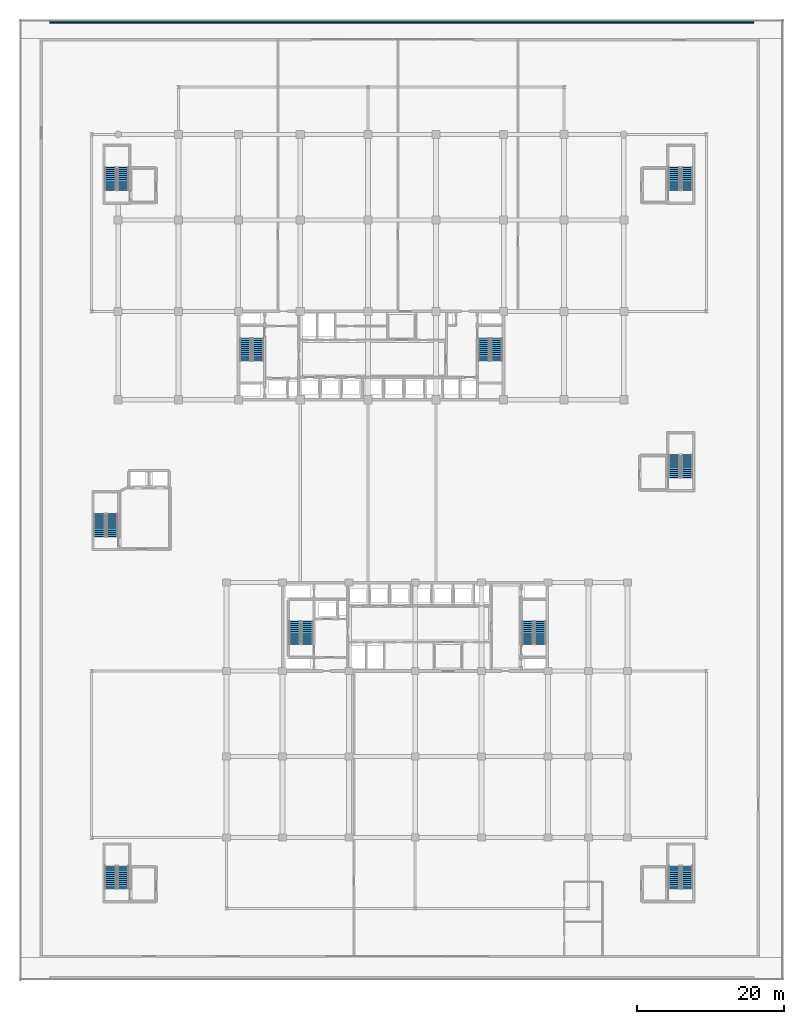
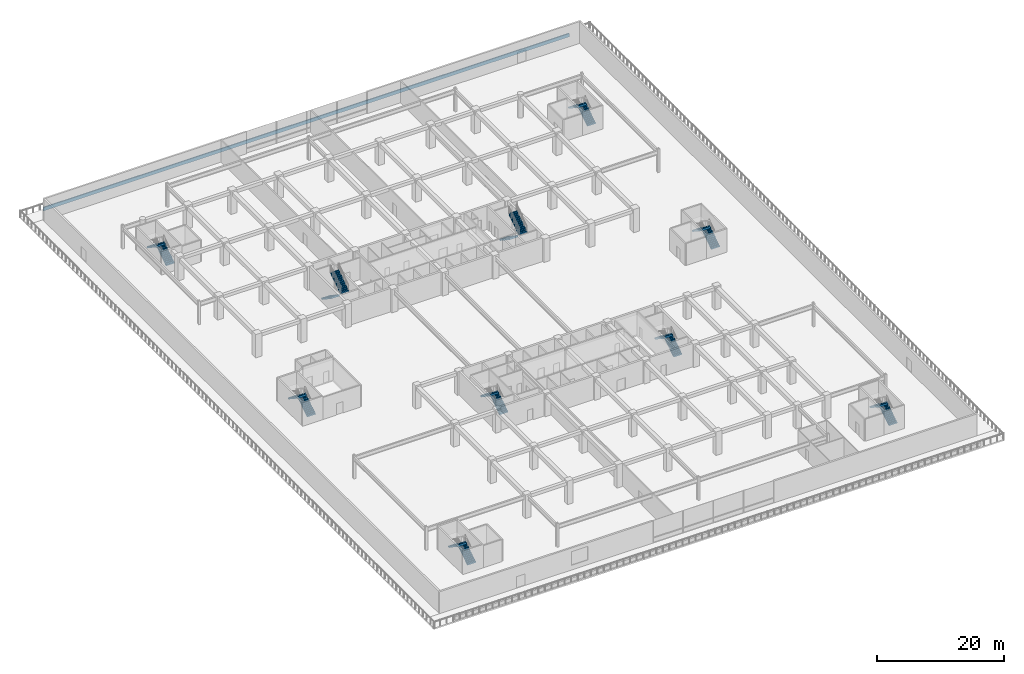
# One storey, part 30 of 43: 20 stair flights, 1 wall, 10 elements without a shape of their own.
"""IFC4 building model written with IfcOpenShell, lengths in metres."""

from ifc_helpers import new_model, si_unit, direction, frame, frame_2d, origin, place, context, subcontext, project, spatial, polyline, rectangle, outline, extrude, material, layer, layer_set, type_object, element, aggregate, save


model = new_model("IFC4")

# Units and contexts
model_context = context("Model", 3, precision=1e-05, world=origin(), true_north=direction((0.0, 1.0)))
body_context = subcontext(model_context, "Body", "Model", "MODEL_VIEW")
ifc_project = project(units=[si_unit("LENGTHUNIT", "METRE"), si_unit("AREAUNIT", "SQUARE_METRE"), si_unit("VOLUMEUNIT", "CUBIC_METRE"), si_unit("PLANEANGLEUNIT", "RADIAN"), si_unit("MASSUNIT", "GRAM", prefix="KILO")], contexts=[model_context])

# Site, building, storey
site_placement = place(None, origin())
site = spatial("IfcSite", under=ifc_project, at=site_placement, CompositionType="ELEMENT")
building_placement = place(site_placement, origin())
building = spatial("IfcBuilding", under=site, at=building_placement, Name="Korimba Cascade Residences", CompositionType="ELEMENT")
storey_placement = place(building_placement, frame((0.0, 0.0, 10.0)))
storey = spatial("IfcBuildingStorey", under=building, at=storey_placement, Name="L02", CompositionType="ELEMENT", Elevation=10.0)

# Wall
ifc_material_1 = material(Name="Precast concrete C40/50", Category="concrete")
ifc_layer = layer(ifc_material_1, 0.199951171875)
ifc_layer_set = layer_set([ifc_layer], Name="Precast concrete C40/50")
wall_type = type_object("IfcWallType", Name="EW-PLANTER-200", PredefinedType="PARAPET", material=ifc_layer_set)
wall_placement = place(storey_placement, frame((146.0, 106.35009765625, 0.0), z_axis=(0.0, 0.0, 1.0), x_axis=(-1.0, 0.0, 0.0)))
element("IfcWall", 1, at=wall_placement, inside=storey, type_object=wall_type, Name="L02 Cascading Terrace Stone PLANTER Box N", PredefinedType="PARAPET", context=body_context, shape_type="SweptSolid", body=[
    extrude(rectangle(XDim=95.5, YDim=0.199951171875, at=frame_2d((47.75, 0.0))), origin(), (0.0, 0.0, 1.0), 0.64990234375),
])

# Stair, stair flights
ifc_material_2 = material(Name="Concrete C50/60", Category="concrete")
stair_type_1 = type_object("IfcStairType", Name="STR-W1-24R-1875", PredefinedType="HALF_TURN_STAIR", material=ifc_material_2)
stair_1_placement = place(storey_placement, origin())
stair_1 = element("IfcStair", 2, at=stair_1_placement, inside=storey, type_object=stair_type_1, Name="L02 Tower 1 West Fire Stair ST-W1", PredefinedType="HALF_TURN_STAIR")
stair_flight_type = type_object("IfcStairFlightType", Name="STF-DL-24R-1875-1520", PredefinedType="STRAIGHT", material=ifc_material_2)
stair_flight_1_placement = place(storey_placement, frame((77.06005859375, 63.550048828125, 0.0), z_axis=(0.0, 0.0, 1.0), x_axis=(0.0, -1.0, 0.0)))
stair_flight_1 = element("IfcStairFlight", 3, at=stair_flight_1_placement, type_object=stair_flight_type, Name="ST-W1 flight 1", NumberOfRisers=12, NumberOfTreads=11, PredefinedType="STRAIGHT", RiserHeight=0.1875, TreadLength=0.28, context=body_context, shape_type="SweptSolid", body=[
    extrude(outline(polyline([(-0.0380859375, 0.0), (0.0, 0.1875), (0.280029296875, 0.1875), (0.280029296875, 0.375), (0.56005859375, 0.375), (0.56005859375, 0.5625), (0.840087890625, 0.5625), (0.840087890625, 0.75), (1.1201171875, 0.75), (1.1201171875, 0.9375), (1.39990234375, 0.9375), (1.39990234375, 1.125), (1.679931640625, 1.125), (1.679931640625, 1.3125), (1.9599609375, 1.3125), (1.9599609375, 1.5), (2.239990234375, 1.5), (2.239990234375, 1.6875), (2.52001953125, 1.6875), (2.52001953125, 1.875), (2.800048828125, 1.875), (2.800048828125, 2.0625), (3.080078125, 2.0625), (3.080078125, 2.25), (3.117919921875, 2.25), (3.117919921875, 1.882080078125), (0.26953125, 0.0), (0.26953125, -0.0380859375), (-0.0380859375, -0.0380859375), (-0.0380859375, 0.0)])), frame((0.0, 0.760009765625, 0.0), z_axis=(0.0, -1.0, 0.0), x_axis=(1.0, 0.0, 0.0)), (0.0, 0.0, 1.0), 1.52001953125),
])
stair_flight_2_placement = place(storey_placement, frame((78.780029296875, 60.469970703125, 2.25), z_axis=(0.0, 0.0, 1.0), x_axis=(0.0, 1.0, 0.0)))
stair_flight_2 = element("IfcStairFlight", 4, at=stair_flight_2_placement, type_object=stair_flight_type, Name="ST-W1 flight 2", NumberOfRisers=12, NumberOfTreads=11, PredefinedType="STRAIGHT", RiserHeight=0.1875, TreadLength=0.28, context=body_context, shape_type="SweptSolid", body=[
    extrude(outline(polyline([(-0.0380859375, 0.0), (0.0, 0.1875), (0.280029296875, 0.1875), (0.280029296875, 0.375), (0.56005859375, 0.375), (0.56005859375, 0.5625), (0.840087890625, 0.5625), (0.840087890625, 0.75), (1.1201171875, 0.75), (1.1201171875, 0.9375), (1.39990234375, 0.9375), (1.39990234375, 1.125), (1.679931640625, 1.125), (1.679931640625, 1.3125), (1.9599609375, 1.3125), (1.9599609375, 1.5), (2.239990234375, 1.5), (2.239990234375, 1.6875), (2.52001953125, 1.6875), (2.52001953125, 1.875), (2.800048828125, 1.875), (2.800048828125, 2.0625), (3.080078125, 2.0625), (3.080078125, 2.25), (3.117919921875, 2.25), (3.117919921875, 1.882080078125), (0.26953125, 0.0), (0.26953125, -0.0380859375), (-0.0380859375, -0.0380859375), (-0.0380859375, 0.0)])), frame((0.0, 0.760009765625, 0.0), z_axis=(0.0, -1.0, 0.0), x_axis=(1.0, 0.0, 0.0)), (0.0, 0.0, 1.0), 1.52001953125),
])
aggregate(stair_1, [stair_flight_1, stair_flight_2])

stair_type_2 = type_object("IfcStairType", Name="STR-W2-24R-1875", PredefinedType="HALF_TURN_STAIR", material=ifc_material_2)
stair_2_placement = place(storey_placement, origin())
stair_2 = element("IfcStair", 5, at=stair_2_placement, inside=storey, type_object=stair_type_2, Name="L02 Tower 1 East Fire Stair ST-W2", PredefinedType="HALF_TURN_STAIR")
stair_flight_3_placement = place(storey_placement, frame((109.419921875, 63.550048828125, 0.0), z_axis=(0.0, 0.0, 1.0), x_axis=(0.0, -1.0, 0.0)))
stair_flight_3 = element("IfcStairFlight", 6, at=stair_flight_3_placement, type_object=stair_flight_type, Name="ST-W2 flight 1", NumberOfRisers=12, NumberOfTreads=11, PredefinedType="STRAIGHT", RiserHeight=0.1875, TreadLength=0.28, context=body_context, shape_type="SweptSolid", body=[
    extrude(outline(polyline([(-0.0380859375, 0.0), (0.0, 0.1875), (0.280029296875, 0.1875), (0.280029296875, 0.375), (0.56005859375, 0.375), (0.56005859375, 0.5625), (0.840087890625, 0.5625), (0.840087890625, 0.75), (1.1201171875, 0.75), (1.1201171875, 0.9375), (1.39990234375, 0.9375), (1.39990234375, 1.125), (1.679931640625, 1.125), (1.679931640625, 1.3125), (1.9599609375, 1.3125), (1.9599609375, 1.5), (2.239990234375, 1.5), (2.239990234375, 1.6875), (2.52001953125, 1.6875), (2.52001953125, 1.875), (2.800048828125, 1.875), (2.800048828125, 2.0625), (3.080078125, 2.0625), (3.080078125, 2.25), (3.117919921875, 2.25), (3.117919921875, 1.882080078125), (0.26953125, 0.0), (0.26953125, -0.0380859375), (-0.0380859375, -0.0380859375), (-0.0380859375, 0.0)])), frame((0.0, 0.760009765625, 0.0), z_axis=(0.0, -1.0, 0.0), x_axis=(1.0, 0.0, 0.0)), (0.0, 0.0, 1.0), 1.52001953125),
])
stair_flight_4_placement = place(storey_placement, frame((111.139892578125, 60.469970703125, 2.25), z_axis=(0.0, 0.0, 1.0), x_axis=(0.0, 1.0, 0.0)))
stair_flight_4 = element("IfcStairFlight", 7, at=stair_flight_4_placement, type_object=stair_flight_type, Name="ST-W2 flight 2", NumberOfRisers=12, NumberOfTreads=11, PredefinedType="STRAIGHT", RiserHeight=0.1875, TreadLength=0.28, context=body_context, shape_type="SweptSolid", body=[
    extrude(outline(polyline([(-0.0380859375, 0.0), (0.0, 0.1875), (0.280029296875, 0.1875), (0.280029296875, 0.375), (0.56005859375, 0.375), (0.56005859375, 0.5625), (0.840087890625, 0.5625), (0.840087890625, 0.75), (1.1201171875, 0.75), (1.1201171875, 0.9375), (1.39990234375, 0.9375), (1.39990234375, 1.125), (1.679931640625, 1.125), (1.679931640625, 1.3125), (1.9599609375, 1.3125), (1.9599609375, 1.5), (2.239990234375, 1.5), (2.239990234375, 1.6875), (2.52001953125, 1.6875), (2.52001953125, 1.875), (2.800048828125, 1.875), (2.800048828125, 2.0625), (3.080078125, 2.0625), (3.080078125, 2.25), (3.117919921875, 2.25), (3.117919921875, 1.882080078125), (0.26953125, 0.0), (0.26953125, -0.0380859375), (-0.0380859375, -0.0380859375), (-0.0380859375, 0.0)])), frame((0.0, 0.760009765625, 0.0), z_axis=(0.0, -1.0, 0.0), x_axis=(1.0, 0.0, 0.0)), (0.0, 0.0, 1.0), 1.52001953125),
])
aggregate(stair_2, [stair_flight_3, stair_flight_4])

stair_type_3 = type_object("IfcStairType", Name="STR-E1-24R-1875", PredefinedType="HALF_TURN_STAIR", material=ifc_material_2)
stair_3_placement = place(storey_placement, origin())
stair_3 = element("IfcStair", 8, at=stair_3_placement, inside=storey, type_object=stair_type_3, Name="L02 Tower 2 West Fire Stair ST-E1", PredefinedType="HALF_TURN_STAIR")
stair_flight_5_placement = place(storey_placement, frame((85.47998046875, 22.050048828125, 0.0), z_axis=(0.0, 0.0, 1.0), x_axis=(0.0, 1.0, 0.0)))
stair_flight_5 = element("IfcStairFlight", 9, at=stair_flight_5_placement, type_object=stair_flight_type, Name="ST-E1 flight 1", NumberOfRisers=12, NumberOfTreads=11, PredefinedType="STRAIGHT", RiserHeight=0.1875, TreadLength=0.28, context=body_context, shape_type="SweptSolid", body=[
    extrude(outline(polyline([(-0.0380859375, 0.0), (0.0, 0.1875), (0.280029296875, 0.1875), (0.280029296875, 0.375), (0.56005859375, 0.375), (0.56005859375, 0.5625), (0.840087890625, 0.5625), (0.840087890625, 0.75), (1.1201171875, 0.75), (1.1201171875, 0.9375), (1.39990234375, 0.9375), (1.39990234375, 1.125), (1.679931640625, 1.125), (1.679931640625, 1.3125), (1.9599609375, 1.3125), (1.9599609375, 1.5), (2.239990234375, 1.5), (2.239990234375, 1.6875), (2.52001953125, 1.6875), (2.52001953125, 1.875), (2.800048828125, 1.875), (2.800048828125, 2.0625), (3.080078125, 2.0625), (3.080078125, 2.25), (3.117919921875, 2.25), (3.117919921875, 1.882080078125), (0.26953125, 0.0), (0.26953125, -0.0380859375), (-0.0380859375, -0.0380859375), (-0.0380859375, 0.0)])), frame((0.0, 0.760009765625, 0.0), z_axis=(0.0, -1.0, 0.0), x_axis=(1.0, 0.0, 0.0)), (0.0, 0.0, 1.0), 1.52001953125),
])
stair_flight_6_placement = place(storey_placement, frame((83.760009765625, 25.1298828125, 2.25), z_axis=(0.0, 0.0, 1.0), x_axis=(0.0, -1.0, 0.0)))
stair_flight_6 = element("IfcStairFlight", 10, at=stair_flight_6_placement, type_object=stair_flight_type, Name="ST-E1 flight 2", NumberOfRisers=12, NumberOfTreads=11, PredefinedType="STRAIGHT", RiserHeight=0.1875, TreadLength=0.28, context=body_context, shape_type="SweptSolid", body=[
    extrude(outline(polyline([(-0.0380859375, 0.0), (0.0, 0.1875), (0.280029296875, 0.1875), (0.280029296875, 0.375), (0.56005859375, 0.375), (0.56005859375, 0.5625), (0.840087890625, 0.5625), (0.840087890625, 0.75), (1.1201171875, 0.75), (1.1201171875, 0.9375), (1.39990234375, 0.9375), (1.39990234375, 1.125), (1.679931640625, 1.125), (1.679931640625, 1.3125), (1.9599609375, 1.3125), (1.9599609375, 1.5), (2.239990234375, 1.5), (2.239990234375, 1.6875), (2.52001953125, 1.6875), (2.52001953125, 1.875), (2.800048828125, 1.875), (2.800048828125, 2.0625), (3.080078125, 2.0625), (3.080078125, 2.25), (3.117919921875, 2.25), (3.117919921875, 1.882080078125), (0.26953125, 0.0), (0.26953125, -0.0380859375), (-0.0380859375, -0.0380859375), (-0.0380859375, 0.0)])), frame((0.0, 0.760009765625, 0.0), z_axis=(0.0, -1.0, 0.0), x_axis=(1.0, 0.0, 0.0)), (0.0, 0.0, 1.0), 1.52001953125),
])
aggregate(stair_3, [stair_flight_5, stair_flight_6])

stair_type_4 = type_object("IfcStairType", Name="STR-E2-24R-1875", PredefinedType="HALF_TURN_STAIR", material=ifc_material_2)
stair_4_placement = place(storey_placement, origin())
stair_4 = element("IfcStair", 11, at=stair_4_placement, inside=storey, type_object=stair_type_4, Name="L02 Tower 2 East Fire Stair ST-E2", PredefinedType="HALF_TURN_STAIR")
stair_flight_7_placement = place(storey_placement, frame((117.080078125, 22.050048828125, 0.0), z_axis=(0.0, 0.0, 1.0), x_axis=(0.0, 1.0, 0.0)))
stair_flight_7 = element("IfcStairFlight", 12, at=stair_flight_7_placement, type_object=stair_flight_type, Name="ST-E2 flight 1", NumberOfRisers=12, NumberOfTreads=11, PredefinedType="STRAIGHT", RiserHeight=0.1875, TreadLength=0.28, context=body_context, shape_type="SweptSolid", body=[
    extrude(outline(polyline([(-0.0380859375, 0.0), (0.0, 0.1875), (0.280029296875, 0.1875), (0.280029296875, 0.375), (0.56005859375, 0.375), (0.56005859375, 0.5625), (0.840087890625, 0.5625), (0.840087890625, 0.75), (1.1201171875, 0.75), (1.1201171875, 0.9375), (1.39990234375, 0.9375), (1.39990234375, 1.125), (1.679931640625, 1.125), (1.679931640625, 1.3125), (1.9599609375, 1.3125), (1.9599609375, 1.5), (2.239990234375, 1.5), (2.239990234375, 1.6875), (2.52001953125, 1.6875), (2.52001953125, 1.875), (2.800048828125, 1.875), (2.800048828125, 2.0625), (3.080078125, 2.0625), (3.080078125, 2.25), (3.117919921875, 2.25), (3.117919921875, 1.882080078125), (0.26953125, 0.0), (0.26953125, -0.0380859375), (-0.0380859375, -0.0380859375), (-0.0380859375, 0.0)])), frame((0.0, 0.760009765625, 0.0), z_axis=(0.0, -1.0, 0.0), x_axis=(1.0, 0.0, 0.0)), (0.0, 0.0, 1.0), 1.52001953125),
])
stair_flight_8_placement = place(storey_placement, frame((115.360107421875, 25.1298828125, 2.25), z_axis=(0.0, 0.0, 1.0), x_axis=(0.0, -1.0, 0.0)))
stair_flight_8 = element("IfcStairFlight", 13, at=stair_flight_8_placement, type_object=stair_flight_type, Name="ST-E2 flight 2", NumberOfRisers=12, NumberOfTreads=11, PredefinedType="STRAIGHT", RiserHeight=0.1875, TreadLength=0.28, context=body_context, shape_type="SweptSolid", body=[
    extrude(outline(polyline([(-0.0380859375, 0.0), (0.0, 0.1875), (0.280029296875, 0.1875), (0.280029296875, 0.375), (0.56005859375, 0.375), (0.56005859375, 0.5625), (0.840087890625, 0.5625), (0.840087890625, 0.75), (1.1201171875, 0.75), (1.1201171875, 0.9375), (1.39990234375, 0.9375), (1.39990234375, 1.125), (1.679931640625, 1.125), (1.679931640625, 1.3125), (1.9599609375, 1.3125), (1.9599609375, 1.5), (2.239990234375, 1.5), (2.239990234375, 1.6875), (2.52001953125, 1.6875), (2.52001953125, 1.875), (2.800048828125, 1.875), (2.800048828125, 2.0625), (3.080078125, 2.0625), (3.080078125, 2.25), (3.117919921875, 2.25), (3.117919921875, 1.882080078125), (0.26953125, 0.0), (0.26953125, -0.0380859375), (-0.0380859375, -0.0380859375), (-0.0380859375, 0.0)])), frame((0.0, 0.760009765625, 0.0), z_axis=(0.0, -1.0, 0.0), x_axis=(1.0, 0.0, 0.0)), (0.0, 0.0, 1.0), 1.52001953125),
])
aggregate(stair_4, [stair_flight_7, stair_flight_8])

stair_type_5 = type_object("IfcStairType", Name="STR-P1-24R-1875", PredefinedType="HALF_TURN_STAIR", material=ifc_material_2)
stair_5_placement = place(storey_placement, origin())
stair_5 = element("IfcStair", 14, at=stair_5_placement, inside=storey, type_object=stair_type_5, Name="L02 Podium West Fire Stair ST-P1", PredefinedType="HALF_TURN_STAIR")
stair_flight_9_placement = place(storey_placement, frame((58.97998046875, 36.64990234375, 0.0), z_axis=(0.0, 0.0, 1.0), x_axis=(0.0, 1.0, 0.0)))
stair_flight_9 = element("IfcStairFlight", 15, at=stair_flight_9_placement, type_object=stair_flight_type, Name="ST-P1 flight 1", NumberOfRisers=12, NumberOfTreads=11, PredefinedType="STRAIGHT", RiserHeight=0.1875, TreadLength=0.28, context=body_context, shape_type="SweptSolid", body=[
    extrude(outline(polyline([(-0.0380859375, 0.0), (0.0, 0.1875), (0.280029296875, 0.1875), (0.280029296875, 0.375), (0.56005859375, 0.375), (0.56005859375, 0.5625), (0.840087890625, 0.5625), (0.840087890625, 0.75), (1.1201171875, 0.75), (1.1201171875, 0.9375), (1.39990234375, 0.9375), (1.39990234375, 1.125), (1.679931640625, 1.125), (1.679931640625, 1.3125), (1.9599609375, 1.3125), (1.9599609375, 1.5), (2.239990234375, 1.5), (2.239990234375, 1.6875), (2.52001953125, 1.6875), (2.52001953125, 1.875), (2.800048828125, 1.875), (2.800048828125, 2.0625), (3.080078125, 2.0625), (3.080078125, 2.25), (3.117919921875, 2.25), (3.117919921875, 1.882080078125), (0.26953125, 0.0), (0.26953125, -0.0380859375), (-0.0380859375, -0.0380859375), (-0.0380859375, 0.0)])), frame((0.0, 0.760009765625, 0.0), z_axis=(0.0, -1.0, 0.0), x_axis=(1.0, 0.0, 0.0)), (0.0, 0.0, 1.0), 1.52001953125),
])
stair_flight_10_placement = place(storey_placement, frame((57.260009765625, 39.72998046875, 2.25), z_axis=(0.0, 0.0, 1.0), x_axis=(0.0, -1.0, 0.0)))
stair_flight_10 = element("IfcStairFlight", 16, at=stair_flight_10_placement, type_object=stair_flight_type, Name="ST-P1 flight 2", NumberOfRisers=12, NumberOfTreads=11, PredefinedType="STRAIGHT", RiserHeight=0.1875, TreadLength=0.28, context=body_context, shape_type="SweptSolid", body=[
    extrude(outline(polyline([(-0.0380859375, 0.0), (0.0, 0.1875), (0.280029296875, 0.1875), (0.280029296875, 0.375), (0.56005859375, 0.375), (0.56005859375, 0.5625), (0.840087890625, 0.5625), (0.840087890625, 0.75), (1.1201171875, 0.75), (1.1201171875, 0.9375), (1.39990234375, 0.9375), (1.39990234375, 1.125), (1.679931640625, 1.125), (1.679931640625, 1.3125), (1.9599609375, 1.3125), (1.9599609375, 1.5), (2.239990234375, 1.5), (2.239990234375, 1.6875), (2.52001953125, 1.6875), (2.52001953125, 1.875), (2.800048828125, 1.875), (2.800048828125, 2.0625), (3.080078125, 2.0625), (3.080078125, 2.25), (3.117919921875, 2.25), (3.117919921875, 1.882080078125), (0.26953125, 0.0), (0.26953125, -0.0380859375), (-0.0380859375, -0.0380859375), (-0.0380859375, 0.0)])), frame((0.0, 0.760009765625, 0.0), z_axis=(0.0, -1.0, 0.0), x_axis=(1.0, 0.0, 0.0)), (0.0, 0.0, 1.0), 1.52001953125),
])
aggregate(stair_5, [stair_flight_9, stair_flight_10])

stair_type_6 = type_object("IfcStairType", Name="STR-P2-24R-1875", PredefinedType="HALF_TURN_STAIR", material=ifc_material_2)
stair_6_placement = place(storey_placement, origin())
stair_6 = element("IfcStair", 17, at=stair_6_placement, inside=storey, type_object=stair_type_6, Name="L02 Podium East Fire Stair ST-P2", PredefinedType="HALF_TURN_STAIR")
stair_flight_11_placement = place(storey_placement, frame((136.97998046875, 44.64990234375, 0.0), z_axis=(0.0, 0.0, 1.0), x_axis=(0.0, 1.0, 0.0)))
stair_flight_11 = element("IfcStairFlight", 18, at=stair_flight_11_placement, type_object=stair_flight_type, Name="ST-P2 flight 1", NumberOfRisers=12, NumberOfTreads=11, PredefinedType="STRAIGHT", RiserHeight=0.1875, TreadLength=0.28, context=body_context, shape_type="SweptSolid", body=[
    extrude(outline(polyline([(-0.0380859375, 0.0), (0.0, 0.1875), (0.280029296875, 0.1875), (0.280029296875, 0.375), (0.56005859375, 0.375), (0.56005859375, 0.5625), (0.840087890625, 0.5625), (0.840087890625, 0.75), (1.1201171875, 0.75), (1.1201171875, 0.9375), (1.39990234375, 0.9375), (1.39990234375, 1.125), (1.679931640625, 1.125), (1.679931640625, 1.3125), (1.9599609375, 1.3125), (1.9599609375, 1.5), (2.239990234375, 1.5), (2.239990234375, 1.6875), (2.52001953125, 1.6875), (2.52001953125, 1.875), (2.800048828125, 1.875), (2.800048828125, 2.0625), (3.080078125, 2.0625), (3.080078125, 2.25), (3.117919921875, 2.25), (3.117919921875, 1.882080078125), (0.26953125, 0.0), (0.26953125, -0.0380859375), (-0.0380859375, -0.0380859375), (-0.0380859375, 0.0)])), frame((0.0, 0.760009765625, 0.0), z_axis=(0.0, -1.0, 0.0), x_axis=(1.0, 0.0, 0.0)), (0.0, 0.0, 1.0), 1.52001953125),
])
stair_flight_12_placement = place(storey_placement, frame((135.260009765625, 47.72998046875, 2.25), z_axis=(0.0, 0.0, 1.0), x_axis=(0.0, -1.0, 0.0)))
stair_flight_12 = element("IfcStairFlight", 19, at=stair_flight_12_placement, type_object=stair_flight_type, Name="ST-P2 flight 2", NumberOfRisers=12, NumberOfTreads=11, PredefinedType="STRAIGHT", RiserHeight=0.1875, TreadLength=0.28, context=body_context, shape_type="SweptSolid", body=[
    extrude(outline(polyline([(-0.0380859375, 0.0), (0.0, 0.1875), (0.280029296875, 0.1875), (0.280029296875, 0.375), (0.56005859375, 0.375), (0.56005859375, 0.5625), (0.840087890625, 0.5625), (0.840087890625, 0.75), (1.1201171875, 0.75), (1.1201171875, 0.9375), (1.39990234375, 0.9375), (1.39990234375, 1.125), (1.679931640625, 1.125), (1.679931640625, 1.3125), (1.9599609375, 1.3125), (1.9599609375, 1.5), (2.239990234375, 1.5), (2.239990234375, 1.6875), (2.52001953125, 1.6875), (2.52001953125, 1.875), (2.800048828125, 1.875), (2.800048828125, 2.0625), (3.080078125, 2.0625), (3.080078125, 2.25), (3.117919921875, 2.25), (3.117919921875, 1.882080078125), (0.26953125, 0.0), (0.26953125, -0.0380859375), (-0.0380859375, -0.0380859375), (-0.0380859375, 0.0)])), frame((0.0, 0.760009765625, 0.0), z_axis=(0.0, -1.0, 0.0), x_axis=(1.0, 0.0, 0.0)), (0.0, 0.0, 1.0), 1.52001953125),
])
aggregate(stair_6, [stair_flight_11, stair_flight_12])

stair_type_7 = type_object("IfcStairType", Name="STR-P3-24R-1875", PredefinedType="HALF_TURN_STAIR", material=ifc_material_2)
stair_7_placement = place(storey_placement, origin())
stair_7 = element("IfcStair", 20, at=stair_7_placement, inside=storey, type_object=stair_type_7, Name="L02 Podium South-West Corner Fire Stair ST-P3", PredefinedType="HALF_TURN_STAIR")
stair_flight_13_placement = place(storey_placement, frame((60.47998046875, -11.14990234375, 0.0), z_axis=(0.0, 0.0, 1.0), x_axis=(0.0, 1.0, 0.0)))
stair_flight_13 = element("IfcStairFlight", 21, at=stair_flight_13_placement, type_object=stair_flight_type, Name="ST-P3 flight 1", NumberOfRisers=12, NumberOfTreads=11, PredefinedType="STRAIGHT", RiserHeight=0.1875, TreadLength=0.28, context=body_context, shape_type="SweptSolid", body=[
    extrude(outline(polyline([(-0.0380859375, 0.0), (0.0, 0.1875), (0.280029296875, 0.1875), (0.280029296875, 0.375), (0.56005859375, 0.375), (0.56005859375, 0.5625), (0.840087890625, 0.5625), (0.840087890625, 0.75), (1.1201171875, 0.75), (1.1201171875, 0.9375), (1.39990234375, 0.9375), (1.39990234375, 1.125), (1.679931640625, 1.125), (1.679931640625, 1.3125), (1.9599609375, 1.3125), (1.9599609375, 1.5), (2.239990234375, 1.5), (2.239990234375, 1.6875), (2.52001953125, 1.6875), (2.52001953125, 1.875), (2.800048828125, 1.875), (2.800048828125, 2.0625), (3.080078125, 2.0625), (3.080078125, 2.25), (3.117919921875, 2.25), (3.117919921875, 1.882080078125), (0.26953125, 0.0), (0.26953125, -0.0380859375), (-0.0380859375, -0.0380859375), (-0.0380859375, 0.0)])), frame((0.0, 0.760009765625, 0.0), z_axis=(0.0, -1.0, 0.0), x_axis=(1.0, 0.0, 0.0)), (0.0, 0.0, 1.0), 1.52001953125),
])
stair_flight_14_placement = place(storey_placement, frame((58.760009765625, -8.070068359375, 2.25), z_axis=(0.0, 0.0, 1.0), x_axis=(0.0, -1.0, 0.0)))
stair_flight_14 = element("IfcStairFlight", 22, at=stair_flight_14_placement, type_object=stair_flight_type, Name="ST-P3 flight 2", NumberOfRisers=12, NumberOfTreads=11, PredefinedType="STRAIGHT", RiserHeight=0.1875, TreadLength=0.28, context=body_context, shape_type="SweptSolid", body=[
    extrude(outline(polyline([(-0.0380859375, 0.0), (0.0, 0.1875), (0.280029296875, 0.1875), (0.280029296875, 0.375), (0.56005859375, 0.375), (0.56005859375, 0.5625), (0.840087890625, 0.5625), (0.840087890625, 0.75), (1.1201171875, 0.75), (1.1201171875, 0.9375), (1.39990234375, 0.9375), (1.39990234375, 1.125), (1.679931640625, 1.125), (1.679931640625, 1.3125), (1.9599609375, 1.3125), (1.9599609375, 1.5), (2.239990234375, 1.5), (2.239990234375, 1.6875), (2.52001953125, 1.6875), (2.52001953125, 1.875), (2.800048828125, 1.875), (2.800048828125, 2.0625), (3.080078125, 2.0625), (3.080078125, 2.25), (3.117919921875, 2.25), (3.117919921875, 1.882080078125), (0.26953125, 0.0), (0.26953125, -0.0380859375), (-0.0380859375, -0.0380859375), (-0.0380859375, 0.0)])), frame((0.0, 0.760009765625, 0.0), z_axis=(0.0, -1.0, 0.0), x_axis=(1.0, 0.0, 0.0)), (0.0, 0.0, 1.0), 1.52001953125),
])
aggregate(stair_7, [stair_flight_13, stair_flight_14])

stair_type_8 = type_object("IfcStairType", Name="STR-P4-24R-1875", PredefinedType="HALF_TURN_STAIR", material=ifc_material_2)
stair_8_placement = place(storey_placement, origin())
stair_8 = element("IfcStair", 23, at=stair_8_placement, inside=storey, type_object=stair_type_8, Name="L02 Podium North-East Corner Fire Stair ST-P4", PredefinedType="HALF_TURN_STAIR")
stair_flight_15_placement = place(storey_placement, frame((136.97998046875, 83.64990234375, 0.0), z_axis=(0.0, 0.0, 1.0), x_axis=(0.0, 1.0, 0.0)))
stair_flight_15 = element("IfcStairFlight", 24, at=stair_flight_15_placement, type_object=stair_flight_type, Name="ST-P4 flight 1", NumberOfRisers=12, NumberOfTreads=11, PredefinedType="STRAIGHT", RiserHeight=0.1875, TreadLength=0.28, context=body_context, shape_type="SweptSolid", body=[
    extrude(outline(polyline([(-0.0380859375, 0.0), (0.0, 0.1875), (0.280029296875, 0.1875), (0.280029296875, 0.375), (0.56005859375, 0.375), (0.56005859375, 0.5625), (0.840087890625, 0.5625), (0.840087890625, 0.75), (1.1201171875, 0.75), (1.1201171875, 0.9375), (1.39990234375, 0.9375), (1.39990234375, 1.125), (1.679931640625, 1.125), (1.679931640625, 1.3125), (1.9599609375, 1.3125), (1.9599609375, 1.5), (2.239990234375, 1.5), (2.239990234375, 1.6875), (2.52001953125, 1.6875), (2.52001953125, 1.875), (2.800048828125, 1.875), (2.800048828125, 2.0625), (3.080078125, 2.0625), (3.080078125, 2.25), (3.117919921875, 2.25), (3.117919921875, 1.882080078125), (0.26953125, 0.0), (0.26953125, -0.0380859375), (-0.0380859375, -0.0380859375), (-0.0380859375, 0.0)])), frame((0.0, 0.760009765625, 0.0), z_axis=(0.0, -1.0, 0.0), x_axis=(1.0, 0.0, 0.0)), (0.0, 0.0, 1.0), 1.52001953125),
])
stair_flight_16_placement = place(storey_placement, frame((135.260009765625, 86.72998046875, 2.25), z_axis=(0.0, 0.0, 1.0), x_axis=(0.0, -1.0, 0.0)))
stair_flight_16 = element("IfcStairFlight", 25, at=stair_flight_16_placement, type_object=stair_flight_type, Name="ST-P4 flight 2", NumberOfRisers=12, NumberOfTreads=11, PredefinedType="STRAIGHT", RiserHeight=0.1875, TreadLength=0.28, context=body_context, shape_type="SweptSolid", body=[
    extrude(outline(polyline([(-0.0380859375, 0.0), (0.0, 0.1875), (0.280029296875, 0.1875), (0.280029296875, 0.375), (0.56005859375, 0.375), (0.56005859375, 0.5625), (0.840087890625, 0.5625), (0.840087890625, 0.75), (1.1201171875, 0.75), (1.1201171875, 0.9375), (1.39990234375, 0.9375), (1.39990234375, 1.125), (1.679931640625, 1.125), (1.679931640625, 1.3125), (1.9599609375, 1.3125), (1.9599609375, 1.5), (2.239990234375, 1.5), (2.239990234375, 1.6875), (2.52001953125, 1.6875), (2.52001953125, 1.875), (2.800048828125, 1.875), (2.800048828125, 2.0625), (3.080078125, 2.0625), (3.080078125, 2.25), (3.117919921875, 2.25), (3.117919921875, 1.882080078125), (0.26953125, 0.0), (0.26953125, -0.0380859375), (-0.0380859375, -0.0380859375), (-0.0380859375, 0.0)])), frame((0.0, 0.760009765625, 0.0), z_axis=(0.0, -1.0, 0.0), x_axis=(1.0, 0.0, 0.0)), (0.0, 0.0, 1.0), 1.52001953125),
])
aggregate(stair_8, [stair_flight_15, stair_flight_16])

stair_type_9 = type_object("IfcStairType", Name="STR-P5-24R-1875", PredefinedType="HALF_TURN_STAIR", material=ifc_material_2)
stair_9_placement = place(storey_placement, origin())
stair_9 = element("IfcStair", 26, at=stair_9_placement, inside=storey, type_object=stair_type_9, Name="L02 Podium North-West Corner Fire Stair ST-P5", PredefinedType="HALF_TURN_STAIR")
stair_flight_17_placement = place(storey_placement, frame((60.47998046875, 83.64990234375, 0.0), z_axis=(0.0, 0.0, 1.0), x_axis=(0.0, 1.0, 0.0)))
stair_flight_17 = element("IfcStairFlight", 27, at=stair_flight_17_placement, type_object=stair_flight_type, Name="ST-P5 flight 1", NumberOfRisers=12, NumberOfTreads=11, PredefinedType="STRAIGHT", RiserHeight=0.1875, TreadLength=0.28, context=body_context, shape_type="SweptSolid", body=[
    extrude(outline(polyline([(-0.0380859375, 0.0), (0.0, 0.1875), (0.280029296875, 0.1875), (0.280029296875, 0.375), (0.56005859375, 0.375), (0.56005859375, 0.5625), (0.840087890625, 0.5625), (0.840087890625, 0.75), (1.1201171875, 0.75), (1.1201171875, 0.9375), (1.39990234375, 0.9375), (1.39990234375, 1.125), (1.679931640625, 1.125), (1.679931640625, 1.3125), (1.9599609375, 1.3125), (1.9599609375, 1.5), (2.239990234375, 1.5), (2.239990234375, 1.6875), (2.52001953125, 1.6875), (2.52001953125, 1.875), (2.800048828125, 1.875), (2.800048828125, 2.0625), (3.080078125, 2.0625), (3.080078125, 2.25), (3.117919921875, 2.25), (3.117919921875, 1.882080078125), (0.26953125, 0.0), (0.26953125, -0.0380859375), (-0.0380859375, -0.0380859375), (-0.0380859375, 0.0)])), frame((0.0, 0.760009765625, 0.0), z_axis=(0.0, -1.0, 0.0), x_axis=(1.0, 0.0, 0.0)), (0.0, 0.0, 1.0), 1.52001953125),
])
stair_flight_18_placement = place(storey_placement, frame((58.760009765625, 86.72998046875, 2.25), z_axis=(0.0, 0.0, 1.0), x_axis=(0.0, -1.0, 0.0)))
stair_flight_18 = element("IfcStairFlight", 28, at=stair_flight_18_placement, type_object=stair_flight_type, Name="ST-P5 flight 2", NumberOfRisers=12, NumberOfTreads=11, PredefinedType="STRAIGHT", RiserHeight=0.1875, TreadLength=0.28, context=body_context, shape_type="SweptSolid", body=[
    extrude(outline(polyline([(-0.0380859375, 0.0), (0.0, 0.1875), (0.280029296875, 0.1875), (0.280029296875, 0.375), (0.56005859375, 0.375), (0.56005859375, 0.5625), (0.840087890625, 0.5625), (0.840087890625, 0.75), (1.1201171875, 0.75), (1.1201171875, 0.9375), (1.39990234375, 0.9375), (1.39990234375, 1.125), (1.679931640625, 1.125), (1.679931640625, 1.3125), (1.9599609375, 1.3125), (1.9599609375, 1.5), (2.239990234375, 1.5), (2.239990234375, 1.6875), (2.52001953125, 1.6875), (2.52001953125, 1.875), (2.800048828125, 1.875), (2.800048828125, 2.0625), (3.080078125, 2.0625), (3.080078125, 2.25), (3.117919921875, 2.25), (3.117919921875, 1.882080078125), (0.26953125, 0.0), (0.26953125, -0.0380859375), (-0.0380859375, -0.0380859375), (-0.0380859375, 0.0)])), frame((0.0, 0.760009765625, 0.0), z_axis=(0.0, -1.0, 0.0), x_axis=(1.0, 0.0, 0.0)), (0.0, 0.0, 1.0), 1.52001953125),
])
aggregate(stair_9, [stair_flight_17, stair_flight_18])

stair_type_10 = type_object("IfcStairType", Name="STR-P6-24R-1875", PredefinedType="HALF_TURN_STAIR", material=ifc_material_2)
stair_10_placement = place(storey_placement, origin())
stair_10 = element("IfcStair", 29, at=stair_10_placement, inside=storey, type_object=stair_type_10, Name="L02 Podium South-East Corner Fire Stair ST-P6", PredefinedType="HALF_TURN_STAIR")
stair_flight_19_placement = place(storey_placement, frame((136.97998046875, -11.14990234375, 0.0), z_axis=(0.0, 0.0, 1.0), x_axis=(0.0, 1.0, 0.0)))
stair_flight_19 = element("IfcStairFlight", 30, at=stair_flight_19_placement, type_object=stair_flight_type, Name="ST-P6 flight 1", NumberOfRisers=12, NumberOfTreads=11, PredefinedType="STRAIGHT", RiserHeight=0.1875, TreadLength=0.28, context=body_context, shape_type="SweptSolid", body=[
    extrude(outline(polyline([(-0.0380859375, 0.0), (0.0, 0.1875), (0.280029296875, 0.1875), (0.280029296875, 0.375), (0.56005859375, 0.375), (0.56005859375, 0.5625), (0.840087890625, 0.5625), (0.840087890625, 0.75), (1.1201171875, 0.75), (1.1201171875, 0.9375), (1.39990234375, 0.9375), (1.39990234375, 1.125), (1.679931640625, 1.125), (1.679931640625, 1.3125), (1.9599609375, 1.3125), (1.9599609375, 1.5), (2.239990234375, 1.5), (2.239990234375, 1.6875), (2.52001953125, 1.6875), (2.52001953125, 1.875), (2.800048828125, 1.875), (2.800048828125, 2.0625), (3.080078125, 2.0625), (3.080078125, 2.25), (3.117919921875, 2.25), (3.117919921875, 1.882080078125), (0.26953125, 0.0), (0.26953125, -0.0380859375), (-0.0380859375, -0.0380859375), (-0.0380859375, 0.0)])), frame((0.0, 0.760009765625, 0.0), z_axis=(0.0, -1.0, 0.0), x_axis=(1.0, 0.0, 0.0)), (0.0, 0.0, 1.0), 1.52001953125),
])
stair_flight_20_placement = place(storey_placement, frame((135.260009765625, -8.070068359375, 2.25), z_axis=(0.0, 0.0, 1.0), x_axis=(0.0, -1.0, 0.0)))
stair_flight_20 = element("IfcStairFlight", 31, at=stair_flight_20_placement, type_object=stair_flight_type, Name="ST-P6 flight 2", NumberOfRisers=12, NumberOfTreads=11, PredefinedType="STRAIGHT", RiserHeight=0.1875, TreadLength=0.28, context=body_context, shape_type="SweptSolid", body=[
    extrude(outline(polyline([(-0.0380859375, 0.0), (0.0, 0.1875), (0.280029296875, 0.1875), (0.280029296875, 0.375), (0.56005859375, 0.375), (0.56005859375, 0.5625), (0.840087890625, 0.5625), (0.840087890625, 0.75), (1.1201171875, 0.75), (1.1201171875, 0.9375), (1.39990234375, 0.9375), (1.39990234375, 1.125), (1.679931640625, 1.125), (1.679931640625, 1.3125), (1.9599609375, 1.3125), (1.9599609375, 1.5), (2.239990234375, 1.5), (2.239990234375, 1.6875), (2.52001953125, 1.6875), (2.52001953125, 1.875), (2.800048828125, 1.875), (2.800048828125, 2.0625), (3.080078125, 2.0625), (3.080078125, 2.25), (3.117919921875, 2.25), (3.117919921875, 1.882080078125), (0.26953125, 0.0), (0.26953125, -0.0380859375), (-0.0380859375, -0.0380859375), (-0.0380859375, 0.0)])), frame((0.0, 0.760009765625, 0.0), z_axis=(0.0, -1.0, 0.0), x_axis=(1.0, 0.0, 0.0)), (0.0, 0.0, 1.0), 1.52001953125),
])
aggregate(stair_10, [stair_flight_19, stair_flight_20])

save(model, "model.ifc")
